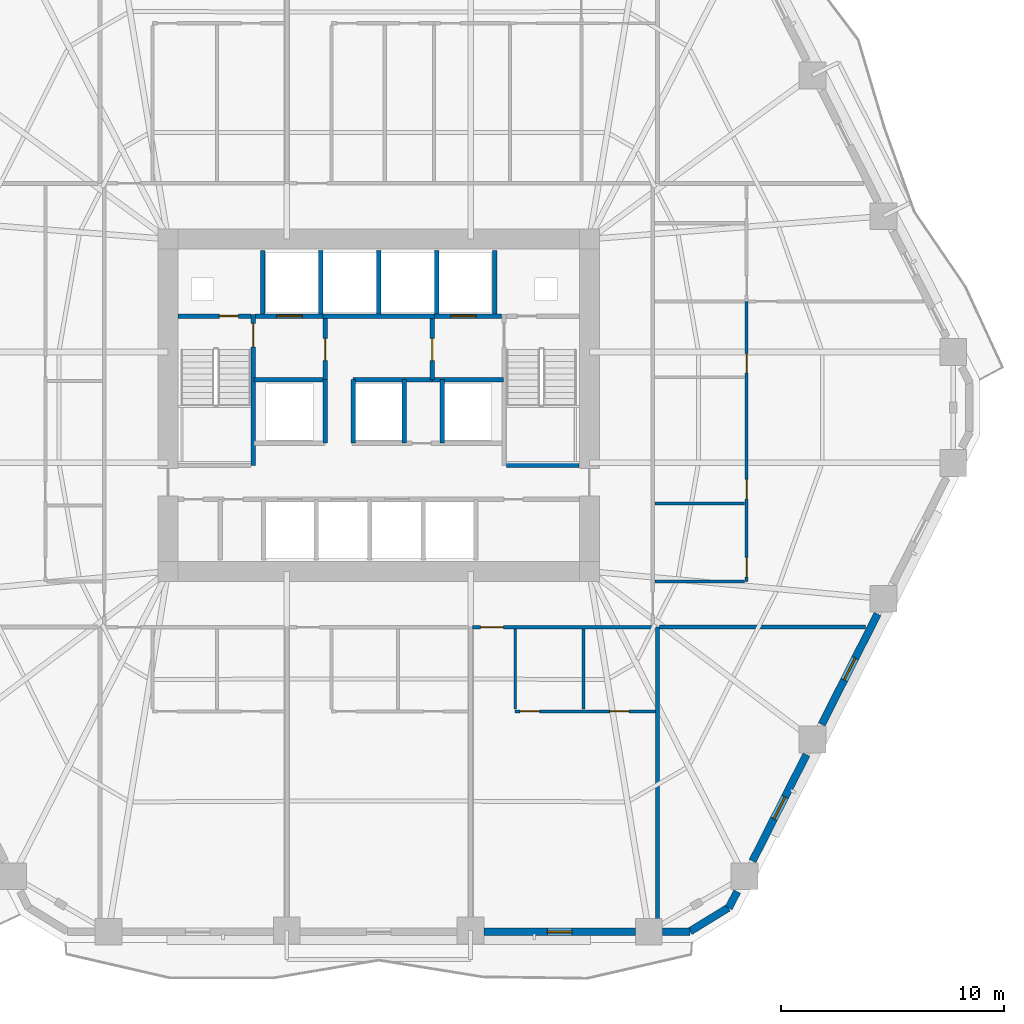
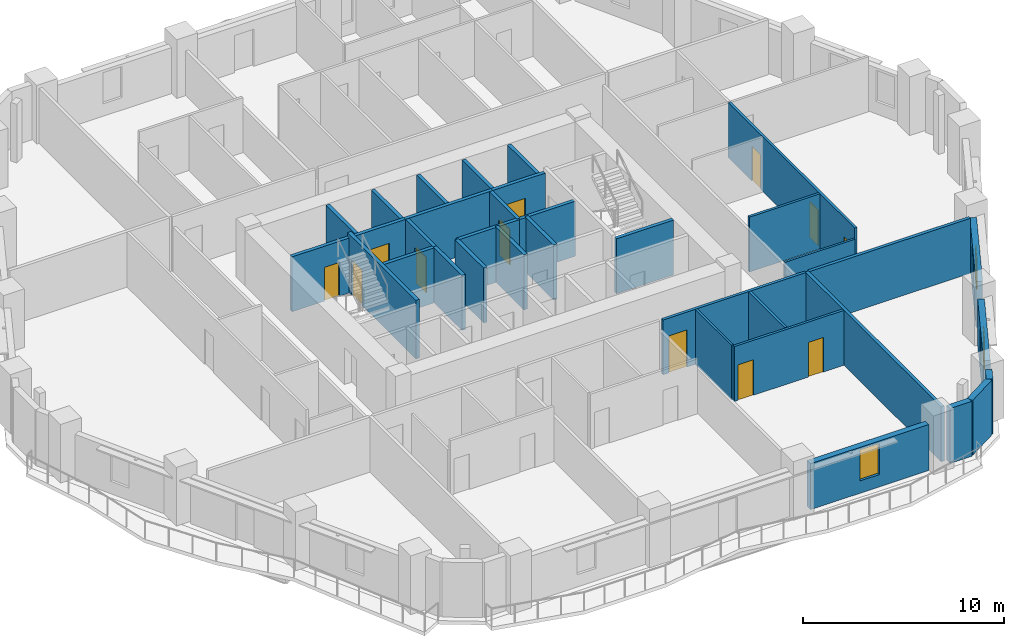
# One storey, part 5 of 13: 35 walls, 12 doors, 3 windows, 15 openings.
"""IFC4 building model written with IfcOpenShell, lengths in metres."""

from ifc_helpers import new_model, si_unit, direction, frame, frame_2d, origin, place, context, subcontext, project, spatial, rectangle, extrude, material, layer, layer_set, type_object, element, fill, save


model = new_model("IFC4")

# Units and contexts
model_context = context("Model", 3, precision=1e-05, world=origin(), true_north=direction((0.0, 1.0)))
body_context = subcontext(model_context, "Body", "Model", "MODEL_VIEW")
ifc_project = project(units=[si_unit("LENGTHUNIT", "METRE"), si_unit("AREAUNIT", "SQUARE_METRE"), si_unit("VOLUMEUNIT", "CUBIC_METRE"), si_unit("PLANEANGLEUNIT", "RADIAN"), si_unit("MASSUNIT", "GRAM", prefix="KILO")], contexts=[model_context])

# Site, building, storey
site_placement = place(None, origin())
site = spatial("IfcSite", under=ifc_project, at=site_placement, CompositionType="ELEMENT")
building_placement = place(site_placement, origin())
building = spatial("IfcBuilding", under=site, at=building_placement, Name="Cinnabar Lancet Tower", CompositionType="ELEMENT")
storey_placement = place(building_placement, frame((0.0, 0.0, 63.949951171875)))
storey = spatial("IfcBuildingStorey", under=building, at=storey_placement, Name="L16", CompositionType="ELEMENT", Elevation=63.949951171875)

# Wall, opening, door
ifc_material_1 = material(Name="Acoustic twin-stud gypsum partition", Category="gypsum")
ifc_layer_1 = layer(ifc_material_1, 0.159912109375)
ifc_layer_set_1 = layer_set([ifc_layer_1], Name="Acoustic twin-stud gypsum partition")
wall_type_1 = type_object("IfcWallType", Name="ARC-WL-CORR-160", PredefinedType="PARTITIONING", material=ifc_layer_set_1)
wall_1_placement = place(storey_placement, frame((36.616943359375, 15.949951171875, 0.0), z_axis=(0.0, 0.0, 1.0), x_axis=(1.0, 0.0, 0.0)))
wall_1 = element("IfcWall", 1, at=wall_1_placement, inside=storey, type_object=wall_type_1, Name="L16 Unit S03 Corridor Wall", PredefinedType="PARTITIONING", context=body_context, shape_type="SweptSolid", body=[
    extrude(rectangle(XDim=8.18798828125, YDim=0.159912109375, at=frame_2d((4.093994140625, 0.0))), origin(), (0.0, 0.0, 1.0), 3.330078125),
])
opening_1_placement = place(wall_1_placement, frame((0.35498046875, 0.0, 0.0)))
opening_1 = element("IfcOpeningElement", 2, at=opening_1_placement, cuts=wall_1, Name="Opening UD-01", PredefinedType="OPENING", context=body_context, shape_type="SweptSolid", body=[
    extrude(rectangle(XDim=1.02001953125, YDim=2.25, at=frame_2d((0.510009765625, 1.125))), frame((0.0, 0.08984375, 0.0), z_axis=(0.0, -1.0, 0.0), x_axis=(1.0, 0.0, 0.0)), (0.0, 0.0, 1.0), 0.179931640625),
])
ifc_material_2 = material(Name="Solid timber fire-rated apartment entrance door", Category="wood")
door_type_1 = type_object("IfcDoorType", Name="ARC-DR-UNIT", OperationType="NOTDEFINED", PredefinedType="DOOR", material=ifc_material_2)
door_1_placement = place(opening_1_placement, origin())
door_1 = element("IfcDoor", 3, at=door_1_placement, inside=storey, type_object=door_type_1, Name="DR-L16-S03-ENT", OperationType="SINGLE_SWING_RIGHT", OverallHeight=2.25, OverallWidth=1.02001953125, PredefinedType="DOOR", context=body_context, shape_type="SweptSolid", body=[
    extrude(rectangle(XDim=1.02001953125, YDim=2.25, at=frame_2d((0.510009765625, 1.125))), frame((0.0, 0.02490234375, 0.0), z_axis=(0.0, -1.0, 0.0), x_axis=(1.0, 0.0, 0.0)), (0.0, 0.0, 1.0), 0.050048828125),
])
fill(opening_1, door_1)

# Walls
ifc_material_3 = material(Name="Fire-rated twin-frame acoustic drywall", Category="gypsum")
ifc_layer_2 = layer(ifc_material_3, 0.179931640625)
ifc_layer_set_2 = layer_set([ifc_layer_2], Name="Fire-rated twin-frame acoustic drywall")
wall_type_2 = type_object("IfcWallType", Name="ARC-WL-PARTY-180", PredefinedType="PARTITIONING", material=ifc_layer_set_2)
wall_2_placement = place(storey_placement, frame((44.89990234375, 2.455078125, 0.0), z_axis=(0.0, 0.0, 1.0), x_axis=(0.0, 1.0, 0.0)))
element("IfcWall", 4, at=wall_2_placement, inside=storey, type_object=wall_type_2, Name="PW-L16-SPTY-449", PredefinedType="PARTITIONING", context=body_context, shape_type="SweptSolid", body=[
    extrude(rectangle(XDim=13.494873046875, YDim=0.179931640625, at=frame_2d((6.74755859375, 0.0))), origin(), (0.0, 0.0, 1.0), 3.330078125),
])
wall_3_placement = place(storey_placement, frame((44.9951171875, 15.949951171875, 0.0), z_axis=(0.0, 0.0, 1.0), x_axis=(1.0, 0.0, 0.0)))
element("IfcWall", 5, at=wall_3_placement, inside=storey, type_object=wall_type_2, Name="PW-L16-ESB", PredefinedType="PARTITIONING", context=body_context, shape_type="SweptSolid", body=[
    extrude(rectangle(XDim=9.240966796875, YDim=0.179931640625, at=frame_2d((4.62060546875, 0.0))), origin(), (0.0, 0.0, 1.0), 3.330078125),
])
ifc_material_4 = material(Name="Autoclaved aerated concrete blockwork", Category="masonry")
ifc_layer_3 = layer(ifc_material_4, 0.199951171875)
ifc_layer_set_3 = layer_set([ifc_layer_3], Name="Autoclaved aerated concrete blockwork")
wall_type_3 = type_object("IfcWallType", Name="ARC-WL-SHAFT-200", PredefinedType="PLUMBINGWALL", material=ifc_layer_set_3)
wall_4_placement = place(storey_placement, frame((38.125, 23.199951171875, 0.0), z_axis=(0.0, 0.0, 1.0), x_axis=(1.0, 0.0, 0.0)))
element("IfcWall", 6, at=wall_4_placement, inside=storey, type_object=wall_type_3, Name="CW-ST2S-L16", PredefinedType="PLUMBINGWALL", context=body_context, shape_type="SweptSolid", body=[
    extrude(rectangle(XDim=3.27001953125, YDim=0.199951171875, at=frame_2d((1.635009765625, 0.0))), origin(), (0.0, 0.0, 1.0), 3.330078125),
])

# Wall, opening, door
wall_5_placement = place(storey_placement, frame((23.405029296875, 29.89990234375, 0.0), z_axis=(0.0, 0.0, 1.0), x_axis=(1.0, 0.0, 0.0)))
wall_5 = element("IfcWall", 7, at=wall_5_placement, inside=storey, type_object=wall_type_3, Name="CW-NSH-W-L16", PredefinedType="PLUMBINGWALL", context=body_context, shape_type="SweptSolid", body=[
    extrude(rectangle(XDim=3.27001953125, YDim=0.199951171875, at=frame_2d((1.635009765625, 0.0))), origin(), (0.0, 0.0, 1.0), 3.330078125),
])
opening_2_placement = place(wall_5_placement, frame((1.85009765625, 0.0, 0.0)))
opening_2 = element("IfcOpeningElement", 8, at=opening_2_placement, cuts=wall_5, Name="Opening PD-02", PredefinedType="OPENING", context=body_context, shape_type="SweptSolid", body=[
    extrude(rectangle(XDim=0.85009765625, YDim=2.050048828125, at=frame_2d((0.425048828125, 1.02490234375))), frame((0.0, 0.10986328125, 0.0), z_axis=(0.0, -1.0, 0.0), x_axis=(1.0, 0.0, 0.0)), (0.0, 0.0, 1.0), 0.219970703125),
])
ifc_material_5 = material(Name="Fire-rated steel riser access door", Category="steel")
door_type_2 = type_object("IfcDoorType", Name="ARC-DR-RISER", OperationType="NOTDEFINED", PredefinedType="DOOR", material=ifc_material_5)
door_2_placement = place(opening_2_placement, origin())
door_2 = element("IfcDoor", 9, at=door_2_placement, inside=storey, type_object=door_type_2, Name="L16 West Riser Access Door", OperationType="SINGLE_SWING_LEFT", OverallHeight=2.050048828125, OverallWidth=0.85009765625, PredefinedType="DOOR", context=body_context, shape_type="SweptSolid", body=[
    extrude(rectangle(XDim=0.85009765625, YDim=2.050048828125, at=frame_2d((0.425048828125, 1.02490234375))), frame((0.0, 0.02490234375, 0.0), z_axis=(0.0, -1.0, 0.0), x_axis=(1.0, 0.0, 0.0)), (0.0, 0.0, 1.0), 0.050048828125),
])
fill(opening_2, door_2)

wall_6_placement = place(storey_placement, frame((26.885009765625, 29.89990234375, 0.0), z_axis=(0.0, 0.0, 1.0), x_axis=(1.0, 0.0, 0.0)))
wall_6 = element("IfcWall", 10, at=wall_6_placement, inside=storey, type_object=wall_type_3, Name="CW-FL1-L16", PredefinedType="PLUMBINGWALL", context=body_context, shape_type="SweptSolid", body=[
    extrude(rectangle(XDim=3.014892578125, YDim=0.199951171875, at=frame_2d((1.50732421875, 0.0))), origin(), (0.0, 0.0, 1.0), 3.330078125),
])
opening_3_placement = place(wall_6_placement, frame((0.93994140625, 0.0, 0.0)))
opening_3 = element("IfcOpeningElement", 11, at=opening_3_placement, cuts=wall_6, Name="Opening LD-02", PredefinedType="OPENING", context=body_context, shape_type="SweptSolid", body=[
    extrude(rectangle(XDim=1.14990234375, YDim=2.199951171875, at=frame_2d((0.574951171875, 1.10009765625))), frame((0.0, 0.10986328125, 0.0), z_axis=(0.0, -1.0, 0.0), x_axis=(1.0, 0.0, 0.0)), (0.0, 0.0, 1.0), 0.219970703125),
])
ifc_material_6 = material(Name="Fire-rated stainless steel firefighting lift landing door", Category="steel")
door_type_3 = type_object("IfcDoorType", Name="ARC-DR-LD-FIRE", OperationType="NOTDEFINED", PredefinedType="DOOR", material=ifc_material_6)
door_3_placement = place(opening_3_placement, origin())
door_3 = element("IfcDoor", 12, at=door_3_placement, inside=storey, type_object=door_type_3, Name="L16 Firefighting Lift FL-1 Landing Door", OperationType="DOUBLE_DOOR_SLIDING", OverallHeight=2.199951171875, OverallWidth=1.14990234375, PredefinedType="DOOR", context=body_context, shape_type="SweptSolid", body=[
    extrude(rectangle(XDim=1.14990234375, YDim=2.199951171875, at=frame_2d((0.574951171875, 1.10009765625))), frame((0.0, 0.02490234375, 0.0), z_axis=(0.0, -1.0, 0.0), x_axis=(1.0, 0.0, 0.0)), (0.0, 0.0, 1.0), 0.050048828125),
])
fill(opening_3, door_3)

# Wall
wall_7_placement = place(storey_placement, frame((29.89990234375, 29.89990234375, 0.0), z_axis=(0.0, 0.0, 1.0), x_axis=(1.0, 0.0, 0.0)))
element("IfcWall", 13, at=wall_7_placement, inside=storey, type_object=wall_type_3, Name="CW-PL78-L16", PredefinedType="PLUMBINGWALL", context=body_context, shape_type="SweptSolid", body=[
    extrude(rectangle(XDim=5.0, YDim=0.199951171875, at=frame_2d((2.5, 0.0))), origin(), (0.0, 0.0, 1.0), 3.330078125),
])

# Wall, opening, door
wall_8_placement = place(storey_placement, frame((34.89990234375, 29.89990234375, 0.0), z_axis=(0.0, 0.0, 1.0), x_axis=(1.0, 0.0, 0.0)))
wall_8 = element("IfcWall", 14, at=wall_8_placement, inside=storey, type_object=wall_type_3, Name="CW-FL2-L16", PredefinedType="PLUMBINGWALL", context=body_context, shape_type="SweptSolid", body=[
    extrude(rectangle(XDim=3.01513671875, YDim=0.199951171875, at=frame_2d((1.507568359375, 0.0))), origin(), (0.0, 0.0, 1.0), 3.330078125),
])
opening_4_placement = place(wall_8_placement, frame((0.72509765625, 0.0, 0.0)))
opening_4 = element("IfcOpeningElement", 15, at=opening_4_placement, cuts=wall_8, Name="Opening LD-02", PredefinedType="OPENING", context=body_context, shape_type="SweptSolid", body=[
    extrude(rectangle(XDim=1.14990234375, YDim=2.199951171875, at=frame_2d((0.574951171875, 1.10009765625))), frame((0.0, 0.10986328125, 0.0), z_axis=(0.0, -1.0, 0.0), x_axis=(1.0, 0.0, 0.0)), (0.0, 0.0, 1.0), 0.219970703125),
])
door_4_placement = place(opening_4_placement, origin())
door_4 = element("IfcDoor", 16, at=door_4_placement, inside=storey, type_object=door_type_3, Name="L16 Firefighting Lift FL-2 Landing Door", OperationType="DOUBLE_DOOR_SLIDING", OverallHeight=2.199951171875, OverallWidth=1.14990234375, PredefinedType="DOOR", context=body_context, shape_type="SweptSolid", body=[
    extrude(rectangle(XDim=1.14990234375, YDim=2.199951171875, at=frame_2d((0.574951171875, 1.10009765625))), frame((0.0, 0.02490234375, 0.0), z_axis=(0.0, -1.0, 0.0), x_axis=(1.0, 0.0, 0.0)), (0.0, 0.0, 1.0), 0.050048828125),
])
fill(opening_4, door_4)

# Walls
for number, where, z_axis, x_axis, name in (
    (17, (27.199951171875, 30.0, 0.0), (0.0, 0.0, 1.0), (0.0, 1.0, 0.0), "CW-NSH-D1-L16"),
    (18, (29.800048828125, 30.0, 0.0), (0.0, 0.0, 1.0), (0.0, 1.0, 0.0), "CW-NSH-D2-L16"),
    (19, (32.39990234375, 30.0, 0.0), (0.0, 0.0, 1.0), (0.0, 1.0, 0.0), "CW-NSH-D3-L16"),
    (20, (35.0, 30.0, 0.0), (0.0, 0.0, 1.0), (0.0, 1.0, 0.0), "CW-NSH-D4-L16"),
    (21, (37.60009765625, 30.0, 0.0), (0.0, 0.0, 1.0), (0.0, 1.0, 0.0), "CW-NSH-D5-L16"),
):
    element("IfcWall", number, at=place(storey_placement, frame(where, z_axis=z_axis, x_axis=x_axis)), inside=storey, type_object=wall_type_3, Name=name, PredefinedType="PLUMBINGWALL", context=body_context, shape_type="SweptSolid", body=[
        extrude(rectangle(XDim=2.85009765625, YDim=0.199951171875, at=frame_2d((1.425048828125, 0.0))), origin(), (0.0, 0.0, 1.0), 3.330078125),
    ])

# Wall, opening, door
wall_9_placement = place(storey_placement, frame((30.0, 27.050048828125, 0.0), z_axis=(0.0, 0.0, 1.0), x_axis=(0.0, 1.0, 0.0)))
wall_9 = element("IfcWall", 22, at=wall_9_placement, inside=storey, type_object=wall_type_3, Name="CW-FF1E-L16", PredefinedType="PLUMBINGWALL", context=body_context, shape_type="SweptSolid", body=[
    extrude(rectangle(XDim=2.75, YDim=0.199951171875, at=frame_2d((1.375, 0.0))), origin(), (0.0, 0.0, 1.0), 3.330078125),
])
opening_5_placement = place(wall_9_placement, frame((0.85009765625, 0.0, 0.0)))
opening_5 = element("IfcOpeningElement", 23, at=opening_5_placement, cuts=wall_9, Name="Opening FD-01", PredefinedType="OPENING", context=body_context, shape_type="SweptSolid", body=[
    extrude(rectangle(XDim=1.0, YDim=2.14990234375, at=frame_2d((0.5, 1.074951171875))), frame((0.0, 0.10986328125, 0.0), z_axis=(0.0, -1.0, 0.0), x_axis=(1.0, 0.0, 0.0)), (0.0, 0.0, 1.0), 0.219970703125),
])
ifc_material_7 = material(Name="Fire-rated timber-core lobby door", Category="wood")
door_type_4 = type_object("IfcDoorType", Name="ARC-DR-FFAL", OperationType="NOTDEFINED", PredefinedType="DOOR", material=ifc_material_7)
door_5_placement = place(opening_5_placement, origin())
door_5 = element("IfcDoor", 24, at=door_5_placement, inside=storey, type_object=door_type_4, Name="L16 FFAL-1 Lobby Fire Door", OperationType="SINGLE_SWING_RIGHT", OverallHeight=2.14990234375, OverallWidth=1.0, PredefinedType="DOOR", context=body_context, shape_type="SweptSolid", body=[
    extrude(rectangle(XDim=1.0, YDim=2.14990234375, at=frame_2d((0.5, 1.074951171875))), frame((0.0, 0.02490234375, 0.0), z_axis=(0.0, -1.0, 0.0), x_axis=(1.0, 0.0, 0.0)), (0.0, 0.0, 1.0), 0.050048828125),
])
fill(opening_5, door_5)

# Wall
wall_10_placement = place(storey_placement, frame((26.800048828125, 27.050048828125, 0.0), z_axis=(0.0, 0.0, 1.0), x_axis=(1.0, 0.0, 0.0)))
element("IfcWall", 25, at=wall_10_placement, inside=storey, type_object=wall_type_3, Name="CW-FF1S-L16", PredefinedType="PLUMBINGWALL", context=body_context, shape_type="SweptSolid", body=[
    extrude(rectangle(XDim=3.199951171875, YDim=0.199951171875, at=frame_2d((1.60009765625, 0.0))), origin(), (0.0, 0.0, 1.0), 3.330078125),
])

# Wall, opening, door
wall_11_placement = place(storey_placement, frame((34.800048828125, 27.050048828125, 0.0), z_axis=(0.0, 0.0, 1.0), x_axis=(0.0, 1.0, 0.0)))
wall_11 = element("IfcWall", 26, at=wall_11_placement, inside=storey, type_object=wall_type_3, Name="CW-FF2W-L16", PredefinedType="PLUMBINGWALL", context=body_context, shape_type="SweptSolid", body=[
    extrude(rectangle(XDim=2.75, YDim=0.199951171875, at=frame_2d((1.375, 0.0))), origin(), (0.0, 0.0, 1.0), 3.330078125),
])
opening_6_placement = place(wall_11_placement, frame((0.85009765625, 0.0, 0.0)))
opening_6 = element("IfcOpeningElement", 27, at=opening_6_placement, cuts=wall_11, Name="Opening FD-01", PredefinedType="OPENING", context=body_context, shape_type="SweptSolid", body=[
    extrude(rectangle(XDim=1.0, YDim=2.14990234375, at=frame_2d((0.5, 1.074951171875))), frame((0.0, 0.10986328125, 0.0), z_axis=(0.0, -1.0, 0.0), x_axis=(1.0, 0.0, 0.0)), (0.0, 0.0, 1.0), 0.219970703125),
])
door_6_placement = place(opening_6_placement, origin())
door_6 = element("IfcDoor", 28, at=door_6_placement, inside=storey, type_object=door_type_4, Name="L16 FFAL-2 Lobby Fire Door", OperationType="SINGLE_SWING_LEFT", OverallHeight=2.14990234375, OverallWidth=1.0, PredefinedType="DOOR", context=body_context, shape_type="SweptSolid", body=[
    extrude(rectangle(XDim=1.0, YDim=2.14990234375, at=frame_2d((0.5, 1.074951171875))), frame((0.0, 0.02490234375, 0.0), z_axis=(0.0, -1.0, 0.0), x_axis=(1.0, 0.0, 0.0)), (0.0, 0.0, 1.0), 0.050048828125),
])
fill(opening_6, door_6)

# Walls
wall_12_placement = place(storey_placement, frame((34.800048828125, 27.050048828125, 0.0), z_axis=(0.0, 0.0, 1.0), x_axis=(1.0, 0.0, 0.0)))
element("IfcWall", 29, at=wall_12_placement, inside=storey, type_object=wall_type_3, Name="CW-FF2S-L16", PredefinedType="PLUMBINGWALL", context=body_context, shape_type="SweptSolid", body=[
    extrude(rectangle(XDim=3.199951171875, YDim=0.199951171875, at=frame_2d((1.60009765625, 0.0))), origin(), (0.0, 0.0, 1.0), 3.330078125),
])
for number, where, z_axis, x_axis, name in (
    (30, (30.0, 24.199951171875, 0.0), (0.0, 0.0, 1.0), (0.0, 1.0, 0.0), "CW-PL5E-L16"),
    (31, (31.25, 24.199951171875, 0.0), (0.0, 0.0, 1.0), (0.0, 1.0, 0.0), "CW-PL9W-L16"),
    (32, (33.550048828125, 24.199951171875, 0.0), (0.0, 0.0, 1.0), (0.0, 1.0, 0.0), "CW-PL9E-L16"),
    (33, (35.25, 24.199951171875, 0.0), (0.0, 0.0, 1.0), (0.0, 1.0, 0.0), "CW-PL6W-L16"),
):
    element("IfcWall", number, at=place(storey_placement, frame(where, z_axis=z_axis, x_axis=x_axis)), inside=storey, type_object=wall_type_3, Name=name, PredefinedType="PLUMBINGWALL", context=body_context, shape_type="SweptSolid", body=[
        extrude(rectangle(XDim=2.85009765625, YDim=0.199951171875, at=frame_2d((1.425048828125, 0.0))), origin(), (0.0, 0.0, 1.0), 3.330078125),
    ])
wall_13_placement = place(storey_placement, frame((31.25, 27.050048828125, 0.0), z_axis=(0.0, 0.0, 1.0), x_axis=(1.0, 0.0, 0.0)))
element("IfcWall", 34, at=wall_13_placement, inside=storey, type_object=wall_type_3, Name="CW-PL96N-L16", PredefinedType="PLUMBINGWALL", context=body_context, shape_type="SweptSolid", body=[
    extrude(rectangle(XDim=3.550048828125, YDim=0.199951171875, at=frame_2d((1.77490234375, 0.0))), origin(), (0.0, 0.0, 1.0), 3.330078125),
])
ifc_material_8 = material(Name="Gypsum plasterboard stud partition", Category="gypsum")
ifc_layer_4 = layer(ifc_material_8, 0.125)
ifc_layer_set_4 = layer_set([ifc_layer_4], Name="Gypsum plasterboard stud partition")
wall_type_4 = type_object("IfcWallType", Name="ARC-WL-UNIT-125", PredefinedType="PARTITIONING", material=ifc_layer_set_4)
wall_14_placement = place(storey_placement, frame((38.52197265625, 12.27587890625, 0.0), z_axis=(0.0, 0.0, 1.0), x_axis=(0.0, 1.0, 0.0)))
element("IfcWall", 35, at=wall_14_placement, inside=storey, type_object=wall_type_4, Name="UW-L16-S03-FOYE", PredefinedType="PARTITIONING", context=body_context, shape_type="SweptSolid", body=[
    extrude(rectangle(XDim=3.589111328125, YDim=0.125, at=frame_2d((1.79443359375, 0.0))), origin(), (0.0, 0.0, 1.0), 3.330078125),
])
wall_15_placement = place(storey_placement, frame((44.784912109375, 18.0, 0.0), z_axis=(0.0, 0.0, 1.0), x_axis=(1.0, 0.0, 0.0)))
element("IfcWall", 36, at=wall_15_placement, inside=storey, type_object=wall_type_4, Name="UW-L16-E01-FOYN", PredefinedType="PARTITIONING", context=body_context, shape_type="SweptSolid", body=[
    extrude(rectangle(XDim=4.030029296875, YDim=0.125, at=frame_2d((2.01513671875, 0.0))), origin(), (0.0, 0.0, 1.0), 2.699951171875),
])

# Wall, openings, doors
ifc_material_9 = material(Name="Moisture-resistant cement-board plumbing wall", Category="masonry")
ifc_layer_5 = layer(ifc_material_9, 0.139892578125)
ifc_layer_set_5 = layer_set([ifc_layer_5], Name="Moisture-resistant cement-board plumbing wall")
wall_type_5 = type_object("IfcWallType", Name="ARC-WL-WET-140", PredefinedType="PLUMBINGWALL", material=ifc_layer_set_5)
wall_16_placement = place(storey_placement, frame((38.52197265625, 12.1708984375, 0.0), z_axis=(0.0, 0.0, 1.0), x_axis=(1.0, 0.0, 0.0)))
wall_16 = element("IfcWall", 37, at=wall_16_placement, inside=storey, type_object=wall_type_5, Name="UW-L16-S03-SPL", PredefinedType="PLUMBINGWALL", context=body_context, shape_type="SweptSolid", body=[
    extrude(rectangle(XDim=6.282958984375, YDim=0.139892578125, at=frame_2d((3.1416015625, 0.0))), origin(), (0.0, 0.0, 1.0), 3.330078125),
])
opening_7_placement = place(wall_16_placement, frame((4.2470703125, 0.0, 0.0)))
opening_7 = element("IfcOpeningElement", 38, at=opening_7_placement, cuts=wall_16, Name="Opening BD-01", PredefinedType="OPENING", context=body_context, shape_type="SweptSolid", body=[
    extrude(rectangle(XDim=0.860107421875, YDim=2.10009765625, at=frame_2d((0.43017578125, 1.050048828125))), frame((0.0, 0.079833984375, 0.0), z_axis=(0.0, -1.0, 0.0), x_axis=(1.0, 0.0, 0.0)), (0.0, 0.0, 1.0), 0.159912109375),
])
opening_8_placement = place(wall_16_placement, frame((0.219970703125, 0.0, 0.0)))
opening_8 = element("IfcOpeningElement", 39, at=opening_8_placement, cuts=wall_16, Name="Opening RD-02", PredefinedType="OPENING", context=body_context, shape_type="SweptSolid", body=[
    extrude(rectangle(XDim=0.8798828125, YDim=2.14990234375, at=frame_2d((0.43994140625, 1.074951171875))), frame((0.0, 0.079833984375, 0.0), z_axis=(0.0, -1.0, 0.0), x_axis=(1.0, 0.0, 0.0)), (0.0, 0.0, 1.0), 0.159912109375),
])
ifc_material_10 = material(Name="Moisture-resistant timber bathroom door", Category="wood")
door_type_5 = type_object("IfcDoorType", Name="ARC-DR-BATH", OperationType="NOTDEFINED", PredefinedType="DOOR", material=ifc_material_10)
door_7_placement = place(opening_7_placement, origin())
door_7 = element("IfcDoor", 40, at=door_7_placement, inside=storey, type_object=door_type_5, Name="DR-L16-S03-BTH", OperationType="SINGLE_SWING_RIGHT", OverallHeight=2.10009765625, OverallWidth=0.860107421875, PredefinedType="DOOR", context=body_context, shape_type="SweptSolid", body=[
    extrude(rectangle(XDim=0.860107421875, YDim=2.10009765625, at=frame_2d((0.43017578125, 1.050048828125))), frame((0.0, 0.02490234375, 0.0), z_axis=(0.0, -1.0, 0.0), x_axis=(1.0, 0.0, 0.0)), (0.0, 0.0, 1.0), 0.050048828125),
])
fill(opening_7, door_7)
ifc_material_11 = material(Name="Engineered timber study door", Category="wood")
door_type_6 = type_object("IfcDoorType", Name="ARC-DR-STUDY", OperationType="NOTDEFINED", PredefinedType="DOOR", material=ifc_material_11)
door_8_placement = place(opening_8_placement, origin())
door_8 = element("IfcDoor", 41, at=door_8_placement, inside=storey, type_object=door_type_6, Name="DR-L16-S03-KIT", OperationType="SINGLE_SWING_LEFT", OverallHeight=2.14990234375, OverallWidth=0.8798828125, PredefinedType="DOOR", context=body_context, shape_type="SweptSolid", body=[
    extrude(rectangle(XDim=0.8798828125, YDim=2.14990234375, at=frame_2d((0.43994140625, 1.074951171875))), frame((0.0, 0.02490234375, 0.0), z_axis=(0.0, -1.0, 0.0), x_axis=(1.0, 0.0, 0.0)), (0.0, 0.0, 1.0), 0.050048828125),
])
fill(opening_8, door_8)

# Wall
wall_17_placement = place(storey_placement, frame((41.5830078125, 12.27587890625, 0.0), z_axis=(0.0, 0.0, 1.0), x_axis=(0.0, 1.0, 0.0)))
element("IfcWall", 42, at=wall_17_placement, inside=storey, type_object=wall_type_5, Name="UW-L16-S03-KDV", PredefinedType="PLUMBINGWALL", context=body_context, shape_type="SweptSolid", body=[
    extrude(rectangle(XDim=3.589111328125, YDim=0.139892578125, at=frame_2d((1.79443359375, 0.0))), origin(), (0.0, 0.0, 1.0), 3.330078125),
])

# Wall, openings, doors
wall_18_placement = place(storey_placement, frame((48.89990234375, 18.0, 0.0), z_axis=(0.0, 0.0, 1.0), x_axis=(0.0, 1.0, 0.0)))
wall_18 = element("IfcWall", 43, at=wall_18_placement, inside=storey, type_object=wall_type_5, Name="UW-L16-E01-SPL", PredefinedType="PLUMBINGWALL", context=body_context, shape_type="SweptSolid", body=[
    extrude(rectangle(XDim=12.555908203125, YDim=0.139892578125, at=frame_2d((6.27783203125, 0.0))), origin(), (0.0, 0.0, 1.0), 3.330078125),
])
opening_9_placement = place(wall_18_placement, frame((0.199951171875, 0.0, 0.0)))
opening_9 = element("IfcOpeningElement", 44, at=opening_9_placement, cuts=wall_18, Name="Opening RD-02", PredefinedType="OPENING", context=body_context, shape_type="SweptSolid", body=[
    extrude(rectangle(XDim=0.8798828125, YDim=2.14990234375, at=frame_2d((0.43994140625, 1.074951171875))), frame((0.0, 0.079833984375, 0.0), z_axis=(0.0, -1.0, 0.0), x_axis=(1.0, 0.0, 0.0)), (0.0, 0.0, 1.0), 0.159912109375),
])
opening_10_placement = place(wall_18_placement, frame((3.699951171875, 0.0, 0.0)))
opening_10 = element("IfcOpeningElement", 45, at=opening_10_placement, cuts=wall_18, Name="Opening RD-02", PredefinedType="OPENING", context=body_context, shape_type="SweptSolid", body=[
    extrude(rectangle(XDim=0.8798828125, YDim=2.14990234375, at=frame_2d((0.43994140625, 1.074951171875))), frame((0.0, 0.079833984375, 0.0), z_axis=(0.0, -1.0, 0.0), x_axis=(1.0, 0.0, 0.0)), (0.0, 0.0, 1.0), 0.159912109375),
])
opening_11_placement = place(wall_18_placement, frame((9.35595703125, 0.0, 0.0)))
opening_11 = element("IfcOpeningElement", 46, at=opening_11_placement, cuts=wall_18, Name="Opening BD-01", PredefinedType="OPENING", context=body_context, shape_type="SweptSolid", body=[
    extrude(rectangle(XDim=0.860107421875, YDim=2.10009765625, at=frame_2d((0.43017578125, 1.050048828125))), frame((0.0, 0.079833984375, 0.0), z_axis=(0.0, -1.0, 0.0), x_axis=(1.0, 0.0, 0.0)), (0.0, 0.0, 1.0), 0.159912109375),
])
door_9_placement = place(opening_11_placement, origin())
door_9 = element("IfcDoor", 47, at=door_9_placement, inside=storey, type_object=door_type_5, Name="DR-L16-E01-BTH", OperationType="SINGLE_SWING_RIGHT", OverallHeight=2.10009765625, OverallWidth=0.860107421875, PredefinedType="DOOR", context=body_context, shape_type="SweptSolid", body=[
    extrude(rectangle(XDim=0.860107421875, YDim=2.10009765625, at=frame_2d((0.43017578125, 1.050048828125))), frame((0.0, 0.02490234375, 0.0), z_axis=(0.0, -1.0, 0.0), x_axis=(1.0, 0.0, 0.0)), (0.0, 0.0, 1.0), 0.050048828125),
])
fill(opening_11, door_9)
door_10_placement = place(opening_9_placement, origin())
door_10 = element("IfcDoor", 48, at=door_10_placement, inside=storey, type_object=door_type_6, Name="DR-L16-E01-KIT", OperationType="SINGLE_SWING_RIGHT", OverallHeight=2.14990234375, OverallWidth=0.8798828125, PredefinedType="DOOR", context=body_context, shape_type="SweptSolid", body=[
    extrude(rectangle(XDim=0.8798828125, YDim=2.14990234375, at=frame_2d((0.43994140625, 1.074951171875))), frame((0.0, 0.02490234375, 0.0), z_axis=(0.0, -1.0, 0.0), x_axis=(1.0, 0.0, 0.0)), (0.0, 0.0, 1.0), 0.050048828125),
])
fill(opening_9, door_10)
door_11_placement = place(opening_10_placement, origin())
door_11 = element("IfcDoor", 49, at=door_11_placement, inside=storey, type_object=door_type_6, Name="DR-L16-E01-UTL", OperationType="SINGLE_SWING_LEFT", OverallHeight=2.14990234375, OverallWidth=0.8798828125, PredefinedType="DOOR", context=body_context, shape_type="SweptSolid", body=[
    extrude(rectangle(XDim=0.8798828125, YDim=2.14990234375, at=frame_2d((0.43994140625, 1.074951171875))), frame((0.0, 0.02490234375, 0.0), z_axis=(0.0, -1.0, 0.0), x_axis=(1.0, 0.0, 0.0)), (0.0, 0.0, 1.0), 0.050048828125),
])
fill(opening_10, door_11)

# Walls
wall_19_placement = place(storey_placement, frame((44.784912109375, 21.5, 0.0), z_axis=(0.0, 0.0, 1.0), x_axis=(1.0, 0.0, 0.0)))
element("IfcWall", 50, at=wall_19_placement, inside=storey, type_object=wall_type_5, Name="UW-L16-E01-KDV", PredefinedType="PLUMBINGWALL", context=body_context, shape_type="SweptSolid", body=[
    extrude(rectangle(XDim=4.030029296875, YDim=0.139892578125, at=frame_2d((2.01513671875, 0.0))), origin(), (0.0, 0.0, 1.0), 3.330078125),
])
ifc_material_12 = material(Name="Cinnabar red clay brick", Category="masonry")
ifc_layer_6 = layer(ifc_material_12, 0.340087890625)
ifc_layer_set_6 = layer_set([ifc_layer_6], Name="Cinnabar red clay brick")
wall_type_6 = type_object("IfcWallType", Name="ENV-WL-BRK-RED-340", PredefinedType="STANDARD", material=ifc_layer_set_6)
wall_20_placement = place(storey_placement, frame((46.361083984375, 2.304931640625, 0.0), z_axis=(0.0, 0.0, 1.0), x_axis=(0.851816122478, 0.523840904748, 0.0)))
element("IfcWall", 51, at=wall_20_placement, inside=storey, type_object=wall_type_6, Name="L16 Chamfered Corner Brick Pier 2.1", PredefinedType="STANDARD", context=body_context, shape_type="SweptSolid", body=[
    extrude(rectangle(XDim=2.01806640625, YDim=0.340087890625, at=frame_2d((1.009033203125, 0.0))), origin(), (0.0, 0.0, 1.0), 3.330078125),
])

# Wall, opening, window
wall_21_placement = place(storey_placement, frame((37.1259765625, 2.280029296875, 0.0), z_axis=(0.0, 0.0, 1.0), x_axis=(1.0, 0.0, 0.0)))
wall_21 = element("IfcWall", 52, at=wall_21_placement, inside=storey, type_object=wall_type_6, Name="L16 Face 1 Masonry Bay Wall 4", PredefinedType="STANDARD", context=body_context, shape_type="SweptSolid", body=[
    extrude(rectangle(XDim=6.787109375, YDim=0.340087890625, at=frame_2d((3.3935546875, 0.0))), origin(), (0.0, 0.0, 1.0), 2.787109375),
])
opening_12_placement = place(wall_21_placement, frame((2.843017578125, 0.0, 0.75)))
opening_12 = element("IfcOpeningElement", 53, at=opening_12_placement, cuts=wall_21, Name="Opening WN-04", PredefinedType="OPENING", context=body_context, shape_type="SweptSolid", body=[
    extrude(rectangle(XDim=1.10009765625, YDim=1.886962890625, at=frame_2d((0.550048828125, 0.943359375))), frame((0.0, 0.179931640625, 0.0), z_axis=(0.0, -1.0, 0.0), x_axis=(1.0, 0.0, 0.0)), (0.0, 0.0, 1.0), 0.360107421875),
])
ifc_material_13 = material(Name="Thermally broken bronze-anodized aluminium tall lancet window", Category="aluminium")
window_type = type_object("IfcWindowType", Name="ENV-WN-LANCET-1100", PartitioningType="SINGLE_PANEL", PredefinedType="WINDOW", material=ifc_material_13)
window_1_placement = place(opening_12_placement, origin())
window_1 = element("IfcWindow", 54, at=window_1_placement, inside=storey, type_object=window_type, Name="L16 Face 1 Gothic Lancet Window 4", OverallHeight=1.886962890625, OverallWidth=1.10009765625, PartitioningType="SINGLE_PANEL", PredefinedType="WINDOW", context=body_context, shape_type="SweptSolid", body=[
    extrude(rectangle(XDim=1.10009765625, YDim=1.886962890625, at=frame_2d((0.550048828125, 0.943359375))), frame((0.0, 0.030029296875, 0.0), z_axis=(0.0, -1.0, 0.0), x_axis=(1.0, 0.0, 0.0)), (0.0, 0.0, 1.0), 0.06005859375),
])
fill(opening_12, window_1)

# Walls
wall_22_placement = place(storey_placement, frame((45.12109375, 2.280029296875, 0.0), z_axis=(0.0, 0.0, 1.0), x_axis=(1.0, 0.0, 0.0)))
element("IfcWall", 55, at=wall_22_placement, inside=storey, type_object=wall_type_6, Name="L16 Face 1 Masonry Bay Wall 5", PredefinedType="STANDARD", context=body_context, shape_type="SweptSolid", body=[
    extrude(rectangle(XDim=1.244873046875, YDim=0.340087890625, at=frame_2d((0.62255859375, 0.0))), origin(), (0.0, 0.0, 1.0), 3.330078125),
])
wall_23_placement = place(storey_placement, frame((48.10009765625, 3.345947265625, 0.0), z_axis=(0.0, 0.0, 1.0), x_axis=(0.45187807258, 0.892079709175, 0.0)))
element("IfcWall", 56, at=wall_23_placement, inside=storey, type_object=wall_type_6, Name="L16 Face 2 Masonry Bay Wall 1", PredefinedType="STANDARD", context=body_context, shape_type="SweptSolid", body=[
    extrude(rectangle(XDim=0.83642578125, YDim=0.340087890625, at=frame_2d((0.418212890625, 0.0))), origin(), (0.0, 0.0, 1.0), 3.330078125),
])

# Wall, opening, window
wall_24_placement = place(storey_placement, frame((49.166015625, 5.4541015625, 0.0), z_axis=(0.0, 0.0, 1.0), x_axis=(0.451697561555, 0.892171123095, 0.0)))
wall_24 = element("IfcWall", 57, at=wall_24_placement, inside=storey, type_object=wall_type_6, Name="L16 Face 2 Masonry Bay Wall 2", PredefinedType="STANDARD", context=body_context, shape_type="SweptSolid", body=[
    extrude(rectangle(XDim=5.350830078125, YDim=0.340087890625, at=frame_2d((2.67529296875, 0.0))), origin(), (0.0, 0.0, 1.0), 2.787109375),
])
opening_13_placement = place(wall_24_placement, frame((2.125, 0.0, 0.75)))
opening_13 = element("IfcOpeningElement", 58, at=opening_13_placement, cuts=wall_24, Name="Opening WN-04", PredefinedType="OPENING", context=body_context, shape_type="SweptSolid", body=[
    extrude(rectangle(XDim=1.10009765625, YDim=1.886962890625, at=frame_2d((0.550048828125, 0.943359375))), frame((0.0, 0.179931640625, 0.0), z_axis=(0.0, -1.0, 0.0), x_axis=(1.0, 0.0, 0.0)), (0.0, 0.0, 1.0), 0.360107421875),
])
window_2_placement = place(opening_13_placement, origin())
window_2 = element("IfcWindow", 59, at=window_2_placement, inside=storey, type_object=window_type, Name="L16 Face 2 Gothic Lancet Window 2", OverallHeight=1.886962890625, OverallWidth=1.10009765625, PartitioningType="SINGLE_PANEL", PredefinedType="WINDOW", context=body_context, shape_type="SweptSolid", body=[
    extrude(rectangle(XDim=1.10009765625, YDim=1.886962890625, at=frame_2d((0.550048828125, 0.943359375))), frame((0.0, 0.030029296875, 0.0), z_axis=(0.0, -1.0, 0.0), x_axis=(1.0, 0.0, 0.0)), (0.0, 0.0, 1.0), 0.06005859375),
])
fill(opening_13, window_2)

wall_25_placement = place(storey_placement, frame((52.27099609375, 11.590087890625, 0.0), z_axis=(0.0, 0.0, 1.0), x_axis=(0.451592100298, 0.892224509273, 0.0)))
wall_25 = element("IfcWall", 60, at=wall_25_placement, inside=storey, type_object=wall_type_6, Name="L16 Face 2 Masonry Bay Wall 3", PredefinedType="STANDARD", context=body_context, shape_type="SweptSolid", body=[
    extrude(rectangle(XDim=5.546875, YDim=0.340087890625, at=frame_2d((2.7734375, 0.0))), origin(), (0.0, 0.0, 1.0), 2.787109375),
])
opening_14_placement = place(wall_25_placement, frame((2.222900390625, 0.0, 0.75)))
opening_14 = element("IfcOpeningElement", 61, at=opening_14_placement, cuts=wall_25, Name="Opening WN-04", PredefinedType="OPENING", context=body_context, shape_type="SweptSolid", body=[
    extrude(rectangle(XDim=1.10009765625, YDim=1.886962890625, at=frame_2d((0.550048828125, 0.943359375))), frame((0.0, 0.179931640625, 0.0), z_axis=(0.0, -1.0, 0.0), x_axis=(1.0, 0.0, 0.0)), (0.0, 0.0, 1.0), 0.360107421875),
])
window_3_placement = place(opening_14_placement, origin())
window_3 = element("IfcWindow", 62, at=window_3_placement, inside=storey, type_object=window_type, Name="L16 Face 2 Gothic Lancet Window 3", OverallHeight=1.886962890625, OverallWidth=1.10009765625, PartitioningType="SINGLE_PANEL", PredefinedType="WINDOW", context=body_context, shape_type="SweptSolid", body=[
    extrude(rectangle(XDim=1.10009765625, YDim=1.886962890625, at=frame_2d((0.550048828125, 0.943359375))), frame((0.0, 0.030029296875, 0.0), z_axis=(0.0, -1.0, 0.0), x_axis=(1.0, 0.0, 0.0)), (0.0, 0.0, 1.0), 0.06005859375),
])
fill(opening_14, window_3)

# Wall, opening, door
ifc_material_14 = material(Name="Concrete C50/60", Category="concrete")
ifc_layer_7 = layer(ifc_material_14, 0.199951171875)
ifc_layer_set_7 = layer_set([ifc_layer_7], Name="Concrete C50/60")
wall_type_7 = type_object("IfcWallType", Name="STR-WL-STAIR-200", PredefinedType="SHEAR", material=ifc_layer_set_7)
wall_26_placement = place(storey_placement, frame((26.780029296875, 23.199951171875, 0.0), z_axis=(0.0, 0.0, 1.0), x_axis=(0.0, 1.0, 0.0)))
wall_26 = element("IfcWall", 63, at=wall_26_placement, inside=storey, type_object=wall_type_7, Name="L16 Stair ST-1 Structural Enclosure Wall", PredefinedType="SHEAR", context=body_context, shape_type="SweptSolid", body=[
    extrude(rectangle(XDim=6.780029296875, YDim=0.199951171875, at=frame_2d((3.39013671875, 0.0))), origin(), (0.0, 0.0, 1.0), 3.550048828125),
])
opening_15_placement = place(wall_26_placement, frame((5.320068359375, 0.0, 0.0)))
opening_15 = element("IfcOpeningElement", 64, at=opening_15_placement, cuts=wall_26, Name="Opening SD-01", PredefinedType="OPENING", context=body_context, shape_type="SweptSolid", body=[
    extrude(rectangle(XDim=1.050048828125, YDim=2.14990234375, at=frame_2d((0.52490234375, 1.074951171875))), frame((0.0, 0.10986328125, 0.0), z_axis=(0.0, -1.0, 0.0), x_axis=(1.0, 0.0, 0.0)), (0.0, 0.0, 1.0), 0.219970703125),
])
ifc_material_15 = material(Name="Fire-rated steel stair exit door", Category="steel")
door_type_7 = type_object("IfcDoorType", Name="ARC-DR-STAIR", OperationType="NOTDEFINED", PredefinedType="DOOR", material=ifc_material_15)
door_12_placement = place(opening_15_placement, origin())
door_12 = element("IfcDoor", 65, at=door_12_placement, inside=storey, type_object=door_type_7, Name="L16 Stair ST-1 Fire Door", OperationType="SINGLE_SWING_LEFT", OverallHeight=2.14990234375, OverallWidth=1.050048828125, PredefinedType="DOOR", context=body_context, shape_type="SweptSolid", body=[
    extrude(rectangle(XDim=1.050048828125, YDim=2.14990234375, at=frame_2d((0.52490234375, 1.074951171875))), frame((0.0, 0.02490234375, 0.0), z_axis=(0.0, -1.0, 0.0), x_axis=(1.0, 0.0, 0.0)), (0.0, 0.0, 1.0), 0.050048828125),
])
fill(opening_15, door_12)

save(model, "model.ifc")
